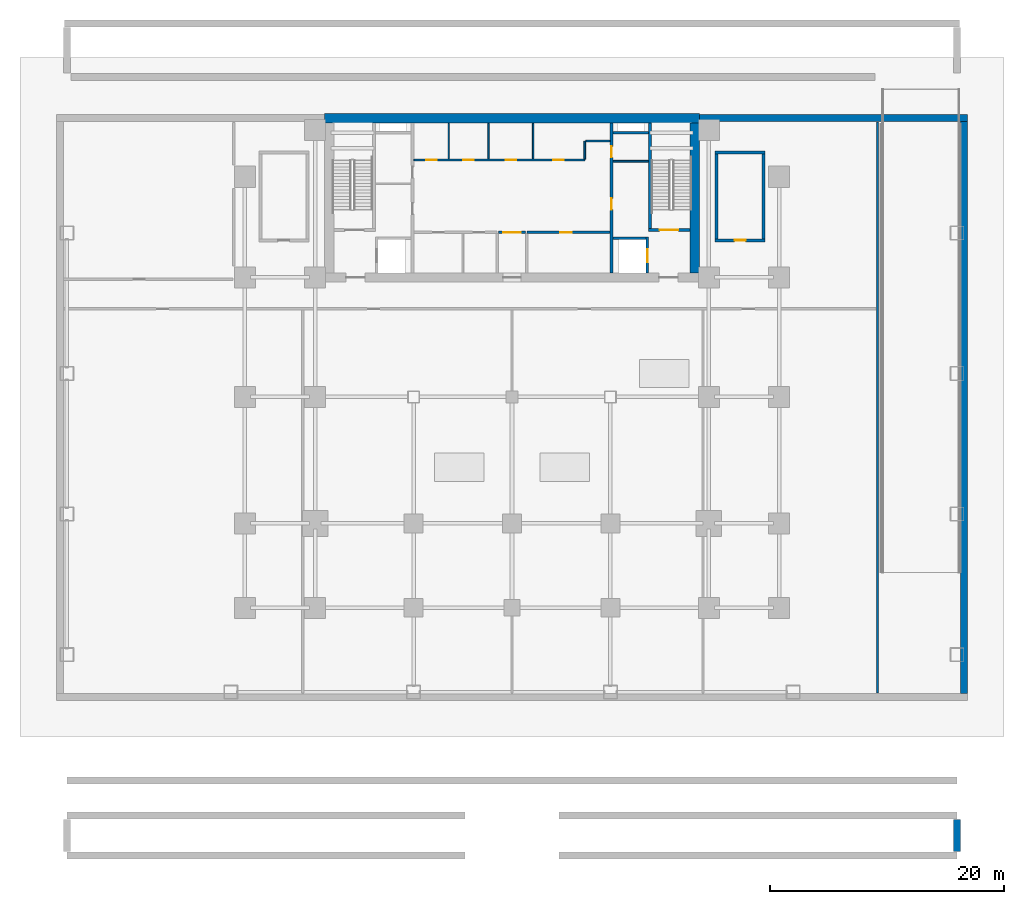
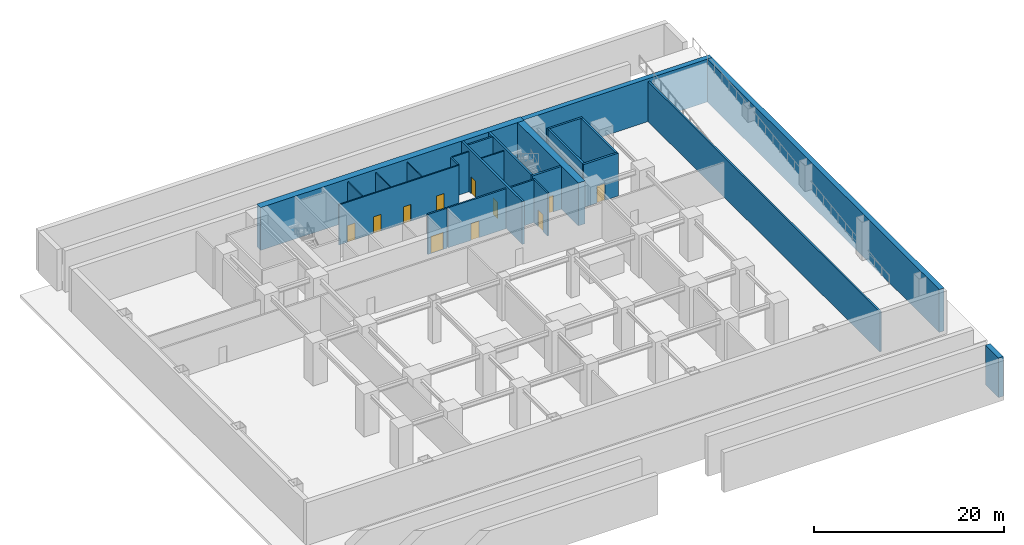
# One storey, part 4 of 8: 25 walls, 11 doors, 11 openings.
"""IFC4 building model written with IfcOpenShell, lengths in metres."""

from ifc_helpers import new_model, si_unit, direction, frame, frame_2d, origin, place, context, subcontext, project, spatial, rectangle, extrude, source, transform, mapped, material, layer, layer_set, type_object, element, fill, save


model = new_model("IFC4")

# Units and contexts
model_context = context("Model", 3, precision=1e-05, world=origin(), true_north=direction((0.0, 1.0)))
body_context = subcontext(model_context, "Body", "Model", "MODEL_VIEW")
ifc_project = project(units=[si_unit("LENGTHUNIT", "METRE"), si_unit("AREAUNIT", "SQUARE_METRE"), si_unit("VOLUMEUNIT", "CUBIC_METRE"), si_unit("PLANEANGLEUNIT", "RADIAN"), si_unit("MASSUNIT", "GRAM", prefix="KILO")], contexts=[model_context])

# Site, building, storey
site_placement = place(None, origin())
site = spatial("IfcSite", under=ifc_project, at=site_placement, CompositionType="ELEMENT")
building_placement = place(site_placement, origin())
building = spatial("IfcBuilding", under=site, at=building_placement, Name="Sumidabori Civic Tower", CompositionType="ELEMENT")
storey_placement = place(building_placement, frame((0.0, 0.0, -5.5)))
storey = spatial("IfcBuildingStorey", under=building, at=storey_placement, Name="B1", CompositionType="ELEMENT", Elevation=-5.5)

# Walls
ifc_material_1 = material(Name="Concrete C50/60", Category="concrete")
ifc_layer_1 = layer(ifc_material_1, 0.60009765625, Name="Concrete C50/60")
ifc_layer_set_1 = layer_set([ifc_layer_1], Name="Concrete C50/60")
wall_type_1 = type_object("IfcWallType", Name="WL-RET-600", PredefinedType="SHEAR", material=ifc_layer_set_1)
shared_shape_1 = source(origin(), body_context, "Body", "SweptSolid", [
    extrude(rectangle(XDim=22.89990234375, YDim=0.60009765625, at=frame_2d((11.449951171875, 0.0))), origin(), (0.0, 0.0, 1.0), 5.5),
])
wall_1_placement = place(storey_placement, frame((16.0, 23.800048828125, 0.0), z_axis=(0.0, 0.0, 1.0), x_axis=(1.0, 0.0, 0.0)))
element("IfcWall", 1, at=wall_1_placement, inside=storey, type_object=wall_type_1, Name="Basement Retaining Wall B1 NE", PredefinedType="SHEAR", context=body_context, shape_type="MappedRepresentation", body=[
    mapped(shared_shape_1, transform((0.0, 0.0, 0.0), x_axis=(1.0, 0.0, 0.0), y_axis=(0.0, 1.0, 0.0), z_axis=(0.0, 0.0, 1.0), scale=1.0)),
])
shared_shape_2 = source(origin(), body_context, "Body", "SweptSolid", [
    extrude(rectangle(XDim=48.800048828125, YDim=0.60009765625, at=frame_2d((24.39990234375, 0.0))), origin(), (0.0, 0.0, 1.0), 5.5),
])
wall_2_placement = place(storey_placement, frame((38.60009765625, -25.300048828125, 0.0), z_axis=(0.0, 0.0, 1.0), x_axis=(0.0, 1.0, 0.0)))
element("IfcWall", 2, at=wall_2_placement, inside=storey, type_object=wall_type_1, Name="Basement Retaining Wall B1 E", PredefinedType="SHEAR", context=body_context, shape_type="MappedRepresentation", body=[
    mapped(shared_shape_2, transform((0.0, 0.0, 0.0), x_axis=(1.0, 0.0, 0.0), y_axis=(0.0, 1.0, 0.0), z_axis=(0.0, 0.0, 1.0), scale=1.0)),
])
shared_shape_3 = source(origin(), body_context, "Body", "SweptSolid", [
    extrude(rectangle(XDim=2.75, YDim=0.60009765625, at=frame_2d((1.375, 0.0))), origin(), (0.0, 0.0, 1.0), 5.10009765625),
])
wall_3_placement = place(storey_placement, frame((38.0, -38.800048828125, 0.0), z_axis=(0.0, 0.0, 1.0), x_axis=(0.0, 1.0, 0.0)))
element("IfcWall", 3, at=wall_3_placement, inside=storey, type_object=wall_type_1, Name="Substructure Perimeter Bearing Wall B1 PLZ-CE", PredefinedType="SHEAR", context=body_context, shape_type="MappedRepresentation", body=[
    mapped(shared_shape_3, transform((0.0, 0.0, 0.0), x_axis=(1.0, 0.0, 0.0), y_axis=(0.0, 1.0, 0.0), z_axis=(0.0, 0.0, 1.0), scale=1.0)),
])
ifc_material_2 = material(Name="Concrete C60/75", Category="concrete")
ifc_layer_2 = layer(ifc_material_2, 0.800048828125, Name="Concrete C60/75")
ifc_layer_set_2 = layer_set([ifc_layer_2], Name="Concrete C60/75")
wall_type_2 = type_object("IfcWallType", Name="WL-CORE-800", PredefinedType="SHEAR", material=ifc_layer_set_2)
shared_shape_4 = source(origin(), body_context, "Body", "SweptSolid", [
    extrude(rectangle(XDim=32.0, YDim=0.800048828125, at=frame_2d((16.0, 0.0))), origin(), (0.0, 0.0, 1.0), 5.5),
])
wall_4_placement = place(storey_placement, frame((-16.0, 23.800048828125, 0.0), z_axis=(0.0, 0.0, 1.0), x_axis=(1.0, 0.0, 0.0)))
element("IfcWall", 4, at=wall_4_placement, inside=storey, type_object=wall_type_2, Name="Core Shear Wall B1 N", PredefinedType="SHEAR", context=body_context, shape_type="MappedRepresentation", body=[
    mapped(shared_shape_4, transform((0.0, 0.0, 0.0), x_axis=(1.0, 0.0, 0.0), y_axis=(0.0, 1.0, 0.0), z_axis=(0.0, 0.0, 1.0), scale=1.0)),
])
shared_shape_5 = source(origin(), body_context, "Body", "SweptSolid", [
    extrude(rectangle(XDim=12.7998046875, YDim=0.800048828125, at=frame_2d((6.39990234375, 0.0))), origin(), (0.0, 0.0, 1.0), 5.5),
])
wall_5_placement = place(storey_placement, frame((15.60009765625, 10.60009765625, 0.0), z_axis=(0.0, 0.0, 1.0), x_axis=(0.0, 1.0, 0.0)))
element("IfcWall", 5, at=wall_5_placement, inside=storey, type_object=wall_type_2, Name="Core Shear Wall B1 E", PredefinedType="SHEAR", context=body_context, shape_type="MappedRepresentation", body=[
    mapped(shared_shape_5, transform((0.0, 0.0, 0.0), x_axis=(1.0, 0.0, 0.0), y_axis=(0.0, 1.0, 0.0), z_axis=(0.0, 0.0, 1.0), scale=1.0)),
])

# Wall, openings, doors
ifc_layer_3 = layer(ifc_material_1, 0.25, Name="Concrete C50/60")
ifc_layer_set_3 = layer_set([ifc_layer_3], Name="Concrete C50/60")
wall_type_3 = type_object("IfcWallType", Name="WL-SHAFT-250", PredefinedType="SHEAR", material=ifc_layer_set_3)
shared_shape_6 = source(origin(), body_context, "Body", "SweptSolid", [
    extrude(rectangle(XDim=12.7998046875, YDim=0.25, at=frame_2d((6.39990234375, 0.0))), origin(), (0.0, 0.0, 1.0), 5.5),
])
wall_6_placement = place(storey_placement, frame((8.5, 10.60009765625, 0.0), z_axis=(0.0, 0.0, 1.0), x_axis=(0.0, 1.0, 0.0)))
wall_6 = element("IfcWall", 6, at=wall_6_placement, inside=storey, type_object=wall_type_3, Name="Core Shear Wall B1 WEB-E", PredefinedType="SHEAR", context=body_context, shape_type="MappedRepresentation", body=[
    mapped(shared_shape_6, transform((0.0, 0.0, 0.0), x_axis=(1.0, 0.0, 0.0), y_axis=(0.0, 1.0, 0.0), z_axis=(0.0, 0.0, 1.0), scale=1.0)),
])
opening_1_placement = place(wall_6_placement, frame((5.39990234375, 0.0, 0.0)))
opening_1 = element("IfcOpeningElement", 7, at=opening_1_placement, cuts=wall_6, Name="Opening DR-FD2", PredefinedType="OPENING", context=body_context, shape_type="SweptSolid", body=[
    extrude(rectangle(XDim=0.949951171875, YDim=2.14990234375, at=frame_2d((0.47509765625, 1.074951171875))), frame((0.0, 0.136962890625, 0.0), z_axis=(0.0, -1.0, 0.0), x_axis=(1.0, 0.0, 0.0)), (0.0, 0.0, 1.0), 0.27392578125),
])
opening_2_placement = place(wall_6_placement, frame((9.85009765625, 0.0, 0.0)))
opening_2 = element("IfcOpeningElement", 8, at=opening_2_placement, cuts=wall_6, Name="Opening DR-2", PredefinedType="OPENING", context=body_context, shape_type="SweptSolid", body=[
    extrude(rectangle(XDim=0.949951171875, YDim=2.14990234375, at=frame_2d((0.47509765625, 1.074951171875))), frame((0.0, 0.136962890625, 0.0), z_axis=(0.0, -1.0, 0.0), x_axis=(1.0, 0.0, 0.0)), (0.0, 0.0, 1.0), 0.27392578125),
])
ifc_material_3 = material(Name="Steel SN490", Category="steel")
door_type_1 = type_object("IfcDoorType", Name="DR-FD2", OperationType="NOTDEFINED", PredefinedType="DOOR", material=ifc_material_3)
shared_shape_7 = source(origin(), body_context, "Body", "SweptSolid", [
    extrude(rectangle(XDim=0.949951171875, YDim=2.14990234375, at=frame_2d((0.47509765625, 1.074951171875))), frame((0.0, 0.02490234375, 0.0), z_axis=(0.0, -1.0, 0.0), x_axis=(1.0, 0.0, 0.0)), (0.0, 0.0, 1.0), 0.050048828125),
])
door_1_placement = place(opening_1_placement, origin())
door_1 = element("IfcDoor", 9, at=door_1_placement, inside=storey, type_object=door_type_1, Name="Door DR:B1:CE-STR", OperationType="SINGLE_SWING_RIGHT", OverallHeight=2.14990234375, OverallWidth=0.949951171875, PredefinedType="DOOR", context=body_context, shape_type="MappedRepresentation", body=[
    mapped(shared_shape_7, transform((0.0, 0.0, 0.0), x_axis=(1.0, 0.0, 0.0), y_axis=(0.0, 1.0, 0.0), z_axis=(0.0, 0.0, 1.0), scale=1.0)),
])
fill(opening_1, door_1)
ifc_material_4 = material(Name="Japanese Hinoki Timber", Category="wood")
door_type_2 = type_object("IfcDoorType", Name="DR-INT-950", OperationType="NOTDEFINED", PredefinedType="DOOR", material=ifc_material_4)
shared_shape_8 = source(origin(), body_context, "Body", "SweptSolid", [
    extrude(rectangle(XDim=0.949951171875, YDim=2.14990234375, at=frame_2d((0.47509765625, 1.074951171875))), frame((0.0, 0.02490234375, 0.0), z_axis=(0.0, -1.0, 0.0), x_axis=(1.0, 0.0, 0.0)), (0.0, 0.0, 1.0), 0.050048828125),
])
door_2_placement = place(opening_2_placement, origin())
door_2 = element("IfcDoor", 10, at=door_2_placement, inside=storey, type_object=door_type_2, Name="Door DR:B1:WC-ACC", OperationType="SINGLE_SWING_RIGHT", OverallHeight=2.14990234375, OverallWidth=0.949951171875, PredefinedType="DOOR", context=body_context, shape_type="MappedRepresentation", body=[
    mapped(shared_shape_8, transform((0.0, 0.0, 0.0), x_axis=(1.0, 0.0, 0.0), y_axis=(0.0, 1.0, 0.0), z_axis=(0.0, 0.0, 1.0), scale=1.0)),
])
fill(opening_2, door_2)

# Wall, opening, door
shared_shape_9 = source(origin(), body_context, "Body", "SweptSolid", [
    extrude(rectangle(XDim=3.554931640625, YDim=0.25, at=frame_2d((1.77734375, 0.0))), origin(), (0.0, 0.0, 1.0), 5.5),
])
wall_7_placement = place(storey_placement, frame((11.64501953125, 14.25, 0.0), z_axis=(0.0, 0.0, 1.0), x_axis=(1.0, 0.0, 0.0)))
wall_7 = element("IfcWall", 11, at=wall_7_placement, inside=storey, type_object=wall_type_3, Name="Core Shear Wall B1 ST2-S", PredefinedType="SHEAR", context=body_context, shape_type="MappedRepresentation", body=[
    mapped(shared_shape_9, transform((0.0, 0.0, 0.0), x_axis=(1.0, 0.0, 0.0), y_axis=(0.0, 1.0, 0.0), z_axis=(0.0, 0.0, 1.0), scale=1.0)),
])
opening_3_placement = place(wall_7_placement, frame((0.949951171875, 0.0, 0.0)))
opening_3 = element("IfcOpeningElement", 12, at=opening_3_placement, cuts=wall_7, Name="Opening DR-FD4", PredefinedType="OPENING", context=body_context, shape_type="SweptSolid", body=[
    extrude(rectangle(XDim=1.60009765625, YDim=2.14990234375, at=frame_2d((0.800048828125, 1.074951171875))), frame((0.0, 0.136962890625, 0.0), z_axis=(0.0, -1.0, 0.0), x_axis=(1.0, 0.0, 0.0)), (0.0, 0.0, 1.0), 0.27392578125),
])
door_type_3 = type_object("IfcDoorType", Name="DR-FD4", OperationType="DOUBLE_DOOR_SINGLE_SWING", PredefinedType="DOOR", material=ifc_material_3)
shared_shape_10 = source(origin(), body_context, "Body", "SweptSolid", [
    extrude(rectangle(XDim=1.60009765625, YDim=2.14990234375, at=frame_2d((0.800048828125, 1.074951171875))), frame((0.0, 0.02490234375, 0.0), z_axis=(0.0, -1.0, 0.0), x_axis=(1.0, 0.0, 0.0)), (0.0, 0.0, 1.0), 0.050048828125),
])
door_3_placement = place(opening_3_placement, origin())
door_3 = element("IfcDoor", 13, at=door_3_placement, inside=storey, type_object=door_type_3, Name="Door DR:B1:ST2", OperationType="DOUBLE_DOOR_SINGLE_SWING", OverallHeight=2.14990234375, OverallWidth=1.60009765625, PredefinedType="DOOR", context=body_context, shape_type="MappedRepresentation", body=[
    mapped(shared_shape_10, transform((0.0, 0.0, 0.0), x_axis=(1.0, 0.0, 0.0), y_axis=(0.0, 1.0, 0.0), z_axis=(0.0, 0.0, 1.0), scale=1.0)),
])
fill(opening_3, door_3)

# Wall
shared_shape_11 = source(origin(), body_context, "Body", "SweptSolid", [
    extrude(rectangle(XDim=9.02490234375, YDim=0.25, at=frame_2d((4.512451171875, 0.0))), origin(), (0.0, 0.0, 1.0), 5.5),
])
wall_8_placement = place(storey_placement, frame((11.77001953125, 14.375, 0.0), z_axis=(0.0, 0.0, 1.0), x_axis=(0.0, 1.0, 0.0)))
element("IfcWall", 14, at=wall_8_placement, inside=storey, type_object=wall_type_3, Name="Core Shear Wall B1 ST2-W", PredefinedType="SHEAR", context=body_context, shape_type="MappedRepresentation", body=[
    mapped(shared_shape_11, transform((0.0, 0.0, 0.0), x_axis=(1.0, 0.0, 0.0), y_axis=(0.0, 1.0, 0.0), z_axis=(0.0, 0.0, 1.0), scale=1.0)),
])

# Wall, opening, door
ifc_layer_4 = layer(ifc_material_1, 0.199951171875, Name="Concrete C50/60")
ifc_layer_set_4 = layer_set([ifc_layer_4], Name="Concrete C50/60")
wall_type_4 = type_object("IfcWallType", Name="WL-SHAFT-200", PredefinedType="SHEAR", material=ifc_layer_set_4)
shared_shape_12 = source(origin(), body_context, "Body", "SweptSolid", [
    extrude(rectangle(XDim=3.0498046875, YDim=0.199951171875, at=frame_2d((1.52490234375, 0.0))), origin(), (0.0, 0.0, 1.0), 5.5),
])
wall_9_placement = place(storey_placement, frame((11.550048828125, 10.60009765625, 0.0), z_axis=(0.0, 0.0, 1.0), x_axis=(0.0, 1.0, 0.0)))
wall_9 = element("IfcWall", 15, at=wall_9_placement, inside=storey, type_object=wall_type_4, Name="Core Shear Wall B1 EL2-E", PredefinedType="SHEAR", context=body_context, shape_type="MappedRepresentation", body=[
    mapped(shared_shape_12, transform((0.0, 0.0, 0.0), x_axis=(1.0, 0.0, 0.0), y_axis=(0.0, 1.0, 0.0), z_axis=(0.0, 0.0, 1.0), scale=1.0)),
])
opening_4_placement = place(wall_9_placement, frame((0.89990234375, 0.0, 0.0)))
opening_4 = element("IfcOpeningElement", 16, at=opening_4_placement, cuts=wall_9, Name="Opening LD-2", PredefinedType="OPENING", context=body_context, shape_type="SweptSolid", body=[
    extrude(rectangle(XDim=1.10009765625, YDim=2.14990234375, at=frame_2d((0.550048828125, 1.074951171875))), frame((0.0, 0.11181640625, 0.0), z_axis=(0.0, -1.0, 0.0), x_axis=(1.0, 0.0, 0.0)), (0.0, 0.0, 1.0), 0.223876953125),
])
ifc_material_5 = material(Name="Stainless Steel Hairline Finish", Category="steel")
door_type_4 = type_object("IfcDoorType", Name="DR-LD2", OperationType="DOUBLE_DOOR_SLIDING", PredefinedType="DOOR", material=ifc_material_5)
shared_shape_13 = source(origin(), body_context, "Body", "SweptSolid", [
    extrude(rectangle(XDim=1.10009765625, YDim=2.14990234375, at=frame_2d((0.550048828125, 1.074951171875))), frame((0.0, 0.02490234375, 0.0), z_axis=(0.0, -1.0, 0.0), x_axis=(1.0, 0.0, 0.0)), (0.0, 0.0, 1.0), 0.050048828125),
])
door_4_placement = place(opening_4_placement, origin())
door_4 = element("IfcDoor", 17, at=door_4_placement, inside=storey, type_object=door_type_4, Name="Door DR:B1:LD-EL2", OperationType="DOUBLE_DOOR_SLIDING", OverallHeight=2.14990234375, OverallWidth=1.10009765625, PredefinedType="DOOR", context=body_context, shape_type="MappedRepresentation", body=[
    mapped(shared_shape_13, transform((0.0, 0.0, 0.0), x_axis=(1.0, 0.0, 0.0), y_axis=(0.0, 1.0, 0.0), z_axis=(0.0, 0.0, 1.0), scale=1.0)),
])
fill(opening_4, door_4)

# Walls
shared_shape_14 = source(origin(), body_context, "Body", "SweptSolid", [
    extrude(rectangle(XDim=2.824951171875, YDim=0.199951171875, at=frame_2d((1.41259765625, 0.0))), origin(), (0.0, 0.0, 1.0), 5.5),
])
wall_10_placement = place(storey_placement, frame((8.625, 13.550048828125, 0.0), z_axis=(0.0, 0.0, 1.0), x_axis=(1.0, 0.0, 0.0)))
element("IfcWall", 18, at=wall_10_placement, inside=storey, type_object=wall_type_4, Name="Core Shear Wall B1 EL2-N", PredefinedType="SHEAR", context=body_context, shape_type="MappedRepresentation", body=[
    mapped(shared_shape_14, transform((0.0, 0.0, 0.0), x_axis=(1.0, 0.0, 0.0), y_axis=(0.0, 1.0, 0.0), z_axis=(0.0, 0.0, 1.0), scale=1.0)),
])
shared_shape_15 = source(origin(), body_context, "Body", "SweptSolid", [
    extrude(rectangle(XDim=3.02001953125, YDim=0.199951171875, at=frame_2d((1.510009765625, 0.0))), origin(), (0.0, 0.0, 1.0), 5.5),
])
wall_11_placement = place(storey_placement, frame((8.625, 22.550048828125, 0.0), z_axis=(0.0, 0.0, 1.0), x_axis=(1.0, 0.0, 0.0)))
element("IfcWall", 19, at=wall_11_placement, inside=storey, type_object=wall_type_4, Name="Core Shear Wall B1 RIS2-S", PredefinedType="SHEAR", context=body_context, shape_type="MappedRepresentation", body=[
    mapped(shared_shape_15, transform((0.0, 0.0, 0.0), x_axis=(1.0, 0.0, 0.0), y_axis=(0.0, 1.0, 0.0), z_axis=(0.0, 0.0, 1.0), scale=1.0)),
])
shared_shape_16 = source(origin(), body_context, "Body", "SweptSolid", [
    extrude(rectangle(XDim=4.260009765625, YDim=0.25, at=frame_2d((2.1298828125, 0.0))), origin(), (0.0, 0.0, 1.0), 5.5),
])
wall_12_placement = place(storey_placement, frame((17.35009765625, 20.864990234375, 0.0), z_axis=(0.0, 0.0, 1.0), x_axis=(1.0, 0.0, 0.0)))
element("IfcWall", 20, at=wall_12_placement, inside=storey, type_object=wall_type_3, Name="Core Shear Wall B1 ST4-N", PredefinedType="SHEAR", context=body_context, shape_type="MappedRepresentation", body=[
    mapped(shared_shape_16, transform((0.0, 0.0, 0.0), x_axis=(1.0, 0.0, 0.0), y_axis=(0.0, 1.0, 0.0), z_axis=(0.0, 0.0, 1.0), scale=1.0)),
])

# Wall, opening, door
wall_13_placement = place(storey_placement, frame((17.35009765625, 13.375, 0.0), z_axis=(0.0, 0.0, 1.0), x_axis=(1.0, 0.0, 0.0)))
wall_13 = element("IfcWall", 21, at=wall_13_placement, inside=storey, type_object=wall_type_3, Name="Core Shear Wall B1 ST4-S", PredefinedType="SHEAR", context=body_context, shape_type="MappedRepresentation", body=[
    mapped(shared_shape_16, transform((0.0, 0.0, 0.0), x_axis=(1.0, 0.0, 0.0), y_axis=(0.0, 1.0, 0.0), z_axis=(0.0, 0.0, 1.0), scale=1.0)),
])
opening_5_placement = place(wall_13_placement, frame((1.64990234375, 0.0, 0.0)))
opening_5 = element("IfcOpeningElement", 22, at=opening_5_placement, cuts=wall_13, Name="Opening DR-FD2", PredefinedType="OPENING", context=body_context, shape_type="SweptSolid", body=[
    extrude(rectangle(XDim=0.949951171875, YDim=2.14990234375, at=frame_2d((0.47509765625, 1.074951171875))), frame((0.0, 0.136962890625, 0.0), z_axis=(0.0, -1.0, 0.0), x_axis=(1.0, 0.0, 0.0)), (0.0, 0.0, 1.0), 0.27392578125),
])
door_5_placement = place(opening_5_placement, origin())
door_5 = element("IfcDoor", 23, at=door_5_placement, inside=storey, type_object=door_type_1, Name="Door DR:B1:FAN-ST4", OperationType="SINGLE_SWING_RIGHT", OverallHeight=2.14990234375, OverallWidth=0.949951171875, PredefinedType="DOOR", context=body_context, shape_type="MappedRepresentation", body=[
    mapped(shared_shape_7, transform((0.0, 0.0, 0.0), x_axis=(1.0, 0.0, 0.0), y_axis=(0.0, 1.0, 0.0), z_axis=(0.0, 0.0, 1.0), scale=1.0)),
])
fill(opening_5, door_5)

# Walls
shared_shape_17 = source(origin(), body_context, "Body", "SweptSolid", [
    extrude(rectangle(XDim=7.230224609375, YDim=0.25, at=frame_2d((3.615234375, 0.0))), origin(), (0.0, 0.0, 1.0), 5.5),
])
for number, where, z_axis, x_axis, name in (
    (24, (17.47509765625, 13.5048828125, 0.0), (0.0, 0.0, 1.0), (0.0, 1.0, 0.0), "Core Shear Wall B1 ST4-W"),
    (25, (21.485107421875, 13.5048828125, 0.0), (0.0, 0.0, 1.0), (0.0, 1.0, 0.0), "Core Shear Wall B1 ST4-E"),
):
    element("IfcWall", number, at=place(storey_placement, frame(where, z_axis=z_axis, x_axis=x_axis)), inside=storey, type_object=wall_type_3, Name=name, PredefinedType="SHEAR", context=body_context, shape_type="MappedRepresentation", body=[
        mapped(shared_shape_17, transform((0.0, 0.0, 0.0), x_axis=(1.0, 0.0, 0.0), y_axis=(0.0, 1.0, 0.0), z_axis=(0.0, 0.0, 1.0), scale=1.0)),
    ])
ifc_material_6 = material(Name="Gypsum Plasterboard Acoustic Partition")
ifc_layer_5 = layer(ifc_material_6, 0.14990234375, Name="Gypsum Plasterboard Acoustic Partition")
ifc_layer_set_5 = layer_set([ifc_layer_5], Name="Gypsum Plasterboard Acoustic Partition")
wall_type_5 = type_object("IfcWallType", Name="WL-PART-150", PredefinedType="PARTITIONING", material=ifc_layer_set_5)
shared_shape_18 = source(origin(), body_context, "Body", "SweptSolid", [
    extrude(rectangle(XDim=3.010009765625, YDim=0.14990234375, at=frame_2d((1.5048828125, 0.0))), origin(), (0.0, 0.0, 1.0), 5.139892578125),
])
wall_14_placement = place(storey_placement, frame((8.6298828125, 20.1201171875, 0.0), z_axis=(0.0, 0.0, 1.0), x_axis=(1.0, 0.0, 0.0)))
element("IfcWall", 26, at=wall_14_placement, inside=storey, type_object=wall_type_5, Name="Interior Partition WL:B1:DIV-CE-WC", PredefinedType="PARTITIONING", context=body_context, shape_type="MappedRepresentation", body=[
    mapped(shared_shape_18, transform((0.0, 0.0, 0.0), x_axis=(1.0, 0.0, 0.0), y_axis=(0.0, 1.0, 0.0), z_axis=(0.0, 0.0, 1.0), scale=1.0)),
])

# Wall, opening, door
ifc_material_7 = material(Name="Gypsum Plasterboard Fire Partition")
ifc_layer_6 = layer(ifc_material_7, 0.199951171875, Name="Gypsum Plasterboard Fire Partition")
ifc_layer_set_6 = layer_set([ifc_layer_6], Name="Gypsum Plasterboard Fire Partition")
wall_type_6 = type_object("IfcWallType", Name="WL-PART-FIRE", PredefinedType="PARTITIONING", material=ifc_layer_set_6)
shared_shape_19 = source(origin(), body_context, "Body", "SweptSolid", [
    extrude(rectangle(XDim=7.070068359375, YDim=0.199951171875, at=frame_2d((3.53515625, 0.0))), origin(), (0.0, 0.0, 1.0), 5.139892578125),
])
wall_15_placement = place(storey_placement, frame((1.300048828125, 14.050048828125, 0.0), z_axis=(0.0, 0.0, 1.0), x_axis=(1.0, 0.0, 0.0)))
wall_15 = element("IfcWall", 27, at=wall_15_placement, inside=storey, type_object=wall_type_6, Name="Interior Partition WL:B1:CBAND-SE", PredefinedType="PARTITIONING", context=body_context, shape_type="MappedRepresentation", body=[
    mapped(shared_shape_19, transform((0.0, 0.0, 0.0), x_axis=(1.0, 0.0, 0.0), y_axis=(0.0, 1.0, 0.0), z_axis=(0.0, 0.0, 1.0), scale=1.0)),
])
opening_6_placement = place(wall_15_placement, frame((2.800048828125, 0.0, 0.0)))
opening_6 = element("IfcOpeningElement", 28, at=opening_6_placement, cuts=wall_15, Name="Opening DR-3", PredefinedType="OPENING", context=body_context, shape_type="SweptSolid", body=[
    extrude(rectangle(XDim=0.97998046875, YDim=2.14990234375, at=frame_2d((0.489990234375, 1.074951171875))), frame((0.0, 0.11181640625, 0.0), z_axis=(0.0, -1.0, 0.0), x_axis=(1.0, 0.0, 0.0)), (0.0, 0.0, 1.0), 0.223876953125),
])
door_type_5 = type_object("IfcDoorType", Name="DR-INT-980", OperationType="NOTDEFINED", PredefinedType="DOOR", material=ifc_material_4)
shared_shape_20 = source(origin(), body_context, "Body", "SweptSolid", [
    extrude(rectangle(XDim=0.97998046875, YDim=2.14990234375, at=frame_2d((0.489990234375, 1.074951171875))), frame((0.0, 0.02490234375, 0.0), z_axis=(0.0, -1.0, 0.0), x_axis=(1.0, 0.0, 0.0)), (0.0, 0.0, 1.0), 0.050048828125),
])
door_6_placement = place(opening_6_placement, origin())
door_6 = element("IfcDoor", 29, at=door_6_placement, inside=storey, type_object=door_type_5, Name="Door DR:B1:REC-B2", OperationType="SINGLE_SWING_RIGHT", OverallHeight=2.14990234375, OverallWidth=0.97998046875, PredefinedType="DOOR", context=body_context, shape_type="MappedRepresentation", body=[
    mapped(shared_shape_20, transform((0.0, 0.0, 0.0), x_axis=(1.0, 0.0, 0.0), y_axis=(0.0, 1.0, 0.0), z_axis=(0.0, 0.0, 1.0), scale=1.0)),
])
fill(opening_6, door_6)

shared_shape_21 = source(origin(), body_context, "Body", "SweptSolid", [
    extrude(rectangle(XDim=2.2998046875, YDim=0.199951171875, at=frame_2d((1.14990234375, 0.0))), origin(), (0.0, 0.0, 1.0), 5.139892578125),
])
wall_16_placement = place(storey_placement, frame((-1.14990234375, 14.050048828125, 0.0), z_axis=(0.0, 0.0, 1.0), x_axis=(1.0, 0.0, 0.0)))
wall_16 = element("IfcWall", 30, at=wall_16_placement, inside=storey, type_object=wall_type_6, Name="Interior Partition WL:B1:THROAT-N", PredefinedType="PARTITIONING", context=body_context, shape_type="MappedRepresentation", body=[
    mapped(shared_shape_21, transform((0.0, 0.0, 0.0), x_axis=(1.0, 0.0, 0.0), y_axis=(0.0, 1.0, 0.0), z_axis=(0.0, 0.0, 1.0), scale=1.0)),
])
opening_7_placement = place(wall_16_placement, frame((0.39990234375, 0.0, 0.0)))
opening_7 = element("IfcOpeningElement", 31, at=opening_7_placement, cuts=wall_16, Name="Opening DR-FD3", PredefinedType="OPENING", context=body_context, shape_type="SweptSolid", body=[
    extrude(rectangle(XDim=1.5, YDim=2.199951171875, at=frame_2d((0.75, 1.10009765625))), frame((0.0, 0.11181640625, 0.0), z_axis=(0.0, -1.0, 0.0), x_axis=(1.0, 0.0, 0.0)), (0.0, 0.0, 1.0), 0.223876953125),
])
door_type_6 = type_object("IfcDoorType", Name="DR-FD-DBL", OperationType="DOUBLE_DOOR_SINGLE_SWING", PredefinedType="DOOR", material=ifc_material_3)
shared_shape_22 = source(origin(), body_context, "Body", "SweptSolid", [
    extrude(rectangle(XDim=1.5, YDim=2.199951171875, at=frame_2d((0.75, 1.10009765625))), frame((0.0, 0.02490234375, 0.0), z_axis=(0.0, -1.0, 0.0), x_axis=(1.0, 0.0, 0.0)), (0.0, 0.0, 1.0), 0.050048828125),
])
door_7_placement = place(opening_7_placement, origin())
door_7 = element("IfcDoor", 32, at=door_7_placement, inside=storey, type_object=door_type_6, Name="Door DR:B1:THROAT-IN", OperationType="DOUBLE_DOOR_SINGLE_SWING", OverallHeight=2.199951171875, OverallWidth=1.5, PredefinedType="DOOR", context=body_context, shape_type="MappedRepresentation", body=[
    mapped(shared_shape_22, transform((0.0, 0.0, 0.0), x_axis=(1.0, 0.0, 0.0), y_axis=(0.0, 1.0, 0.0), z_axis=(0.0, 0.0, 1.0), scale=1.0)),
])
fill(opening_7, door_7)

# Wall, openings, doors
shared_shape_23 = source(origin(), body_context, "Body", "SweptSolid", [
    extrude(rectangle(XDim=14.590087890625, YDim=0.14990234375, at=frame_2d((7.294921875, 0.0))), origin(), (0.0, 0.0, 1.0), 5.139892578125),
])
wall_17_placement = place(storey_placement, frame((-8.3701171875, 20.219970703125, 0.0), z_axis=(0.0, 0.0, 1.0), x_axis=(1.0, 0.0, 0.0)))
wall_17 = element("IfcWall", 33, at=wall_17_placement, inside=storey, type_object=wall_type_5, Name="Interior Partition WL:B1:CBAND-M", PredefinedType="PARTITIONING", context=body_context, shape_type="MappedRepresentation", body=[
    mapped(shared_shape_23, transform((0.0, 0.0, 0.0), x_axis=(1.0, 0.0, 0.0), y_axis=(0.0, 1.0, 0.0), z_axis=(0.0, 0.0, 1.0), scale=1.0)),
])
opening_8_placement = place(wall_17_placement, frame((1.06005859375, 0.0, 0.0)))
opening_8 = element("IfcOpeningElement", 34, at=opening_8_placement, cuts=wall_17, Name="Opening DR-1", PredefinedType="OPENING", context=body_context, shape_type="SweptSolid", body=[
    extrude(rectangle(XDim=0.89990234375, YDim=2.14990234375, at=frame_2d((0.449951171875, 1.074951171875))), frame((0.0, 0.0869140625, 0.0), z_axis=(0.0, -1.0, 0.0), x_axis=(1.0, 0.0, 0.0)), (0.0, 0.0, 1.0), 0.173828125),
])
opening_9_placement = place(wall_17_placement, frame((4.219970703125, 0.0, 0.0)))
opening_9 = element("IfcOpeningElement", 35, at=opening_9_placement, cuts=wall_17, Name="Opening DR-1", PredefinedType="OPENING", context=body_context, shape_type="SweptSolid", body=[
    extrude(rectangle(XDim=0.89990234375, YDim=2.14990234375, at=frame_2d((0.449951171875, 1.074951171875))), frame((0.0, 0.0869140625, 0.0), z_axis=(0.0, -1.0, 0.0), x_axis=(1.0, 0.0, 0.0)), (0.0, 0.0, 1.0), 0.173828125),
])
opening_10_placement = place(wall_17_placement, frame((7.820068359375, 0.0, 0.0)))
opening_10 = element("IfcOpeningElement", 36, at=opening_10_placement, cuts=wall_17, Name="Opening DR-1", PredefinedType="OPENING", context=body_context, shape_type="SweptSolid", body=[
    extrude(rectangle(XDim=0.89990234375, YDim=2.14990234375, at=frame_2d((0.449951171875, 1.074951171875))), frame((0.0, 0.0869140625, 0.0), z_axis=(0.0, -1.0, 0.0), x_axis=(1.0, 0.0, 0.0)), (0.0, 0.0, 1.0), 0.173828125),
])
opening_11_placement = place(wall_17_placement, frame((11.8701171875, 0.0, 0.0)))
opening_11 = element("IfcOpeningElement", 37, at=opening_11_placement, cuts=wall_17, Name="Opening DR-1", PredefinedType="OPENING", context=body_context, shape_type="SweptSolid", body=[
    extrude(rectangle(XDim=0.89990234375, YDim=2.14990234375, at=frame_2d((0.449951171875, 1.074951171875))), frame((0.0, 0.0869140625, 0.0), z_axis=(0.0, -1.0, 0.0), x_axis=(1.0, 0.0, 0.0)), (0.0, 0.0, 1.0), 0.173828125),
])
door_type_7 = type_object("IfcDoorType", Name="DR-INT-900", OperationType="NOTDEFINED", PredefinedType="DOOR", material=ifc_material_4)
shared_shape_24 = source(origin(), body_context, "Body", "SweptSolid", [
    extrude(rectangle(XDim=0.89990234375, YDim=2.14990234375, at=frame_2d((0.449951171875, 1.074951171875))), frame((0.0, 0.02490234375, 0.0), z_axis=(0.0, -1.0, 0.0), x_axis=(1.0, 0.0, 0.0)), (0.0, 0.0, 1.0), 0.050048828125),
])
door_8_placement = place(opening_8_placement, origin())
door_8 = element("IfcDoor", 38, at=door_8_placement, inside=storey, type_object=door_type_7, Name="Door DR:B1:CB-1", OperationType="SINGLE_SWING_LEFT", OverallHeight=2.14990234375, OverallWidth=0.89990234375, PredefinedType="DOOR", context=body_context, shape_type="MappedRepresentation", body=[
    mapped(shared_shape_24, transform((0.0, 0.0, 0.0), x_axis=(1.0, 0.0, 0.0), y_axis=(0.0, 1.0, 0.0), z_axis=(0.0, 0.0, 1.0), scale=1.0)),
])
fill(opening_8, door_8)
door_9_placement = place(opening_9_placement, origin())
door_9 = element("IfcDoor", 39, at=door_9_placement, inside=storey, type_object=door_type_7, Name="Door DR:B1:CB-2", OperationType="SINGLE_SWING_RIGHT", OverallHeight=2.14990234375, OverallWidth=0.89990234375, PredefinedType="DOOR", context=body_context, shape_type="MappedRepresentation", body=[
    mapped(shared_shape_24, transform((0.0, 0.0, 0.0), x_axis=(1.0, 0.0, 0.0), y_axis=(0.0, 1.0, 0.0), z_axis=(0.0, 0.0, 1.0), scale=1.0)),
])
fill(opening_9, door_9)
door_10_placement = place(opening_10_placement, origin())
door_10 = element("IfcDoor", 40, at=door_10_placement, inside=storey, type_object=door_type_7, Name="Door DR:B1:CB-3", OperationType="SINGLE_SWING_LEFT", OverallHeight=2.14990234375, OverallWidth=0.89990234375, PredefinedType="DOOR", context=body_context, shape_type="MappedRepresentation", body=[
    mapped(shared_shape_24, transform((0.0, 0.0, 0.0), x_axis=(1.0, 0.0, 0.0), y_axis=(0.0, 1.0, 0.0), z_axis=(0.0, 0.0, 1.0), scale=1.0)),
])
fill(opening_10, door_10)
door_11_placement = place(opening_11_placement, origin())
door_11 = element("IfcDoor", 41, at=door_11_placement, inside=storey, type_object=door_type_7, Name="Door DR:B1:CB-4", OperationType="SINGLE_SWING_RIGHT", OverallHeight=2.14990234375, OverallWidth=0.89990234375, PredefinedType="DOOR", context=body_context, shape_type="MappedRepresentation", body=[
    mapped(shared_shape_24, transform((0.0, 0.0, 0.0), x_axis=(1.0, 0.0, 0.0), y_axis=(0.0, 1.0, 0.0), z_axis=(0.0, 0.0, 1.0), scale=1.0)),
])
fill(opening_11, door_11)

# Walls
shared_shape_25 = source(origin(), body_context, "Body", "SweptSolid", [
    extrude(rectangle(XDim=1.550048828125, YDim=0.14990234375, at=frame_2d((0.77490234375, 0.0))), origin(), (0.0, 0.0, 1.0), 5.139892578125),
])
wall_18_placement = place(storey_placement, frame((6.219970703125, 20.300048828125, 0.0), z_axis=(0.0, 0.0, 1.0), x_axis=(0.0, 1.0, 0.0)))
element("IfcWall", 42, at=wall_18_placement, inside=storey, type_object=wall_type_5, Name="Interior Partition WL:B1:CBAND-ME1", PredefinedType="PARTITIONING", context=body_context, shape_type="MappedRepresentation", body=[
    mapped(shared_shape_25, transform((0.0, 0.0, 0.0), x_axis=(1.0, 0.0, 0.0), y_axis=(0.0, 1.0, 0.0), z_axis=(0.0, 0.0, 1.0), scale=1.0)),
])
shared_shape_26 = source(origin(), body_context, "Body", "SweptSolid", [
    extrude(rectangle(XDim=2.070068359375, YDim=0.14990234375, at=frame_2d((1.03515625, 0.0))), origin(), (0.0, 0.0, 1.0), 5.139892578125),
])
wall_19_placement = place(storey_placement, frame((6.300048828125, 21.85009765625, 0.0), z_axis=(0.0, 0.0, 1.0), x_axis=(1.0, 0.0, 0.0)))
element("IfcWall", 43, at=wall_19_placement, inside=storey, type_object=wall_type_5, Name="Interior Partition WL:B1:CBAND-ME2", PredefinedType="PARTITIONING", context=body_context, shape_type="MappedRepresentation", body=[
    mapped(shared_shape_26, transform((0.0, 0.0, 0.0), x_axis=(1.0, 0.0, 0.0), y_axis=(0.0, 1.0, 0.0), z_axis=(0.0, 0.0, 1.0), scale=1.0)),
])
ifc_layer_7 = layer(ifc_material_6, 0.1201171875, Name="Gypsum Plasterboard Acoustic Partition")
ifc_layer_set_7 = layer_set([ifc_layer_7], Name="Gypsum Plasterboard Acoustic Partition")
wall_type_7 = type_object("IfcWallType", Name="WL-PART-120", PredefinedType="PARTITIONING", material=ifc_layer_set_7)
shared_shape_27 = source(origin(), body_context, "Body", "SweptSolid", [
    extrude(rectangle(XDim=3.0400390625, YDim=0.1201171875, at=frame_2d((1.52001953125, 0.0))), origin(), (0.0, 0.0, 1.0), 5.139892578125),
])
for number, where, z_axis, x_axis, name in (
    (44, (-5.39990234375, 20.320068359375, 0.0), (0.0, 0.0, 1.0), (0.0, 1.0, 0.0), "Interior Partition WL:B1:LV8-S1"),
    (45, (-2.0, 20.320068359375, 0.0), (0.0, 0.0, 1.0), (0.0, 1.0, 0.0), "Interior Partition WL:B1:LV8-S2"),
    (46, (1.800048828125, 20.320068359375, 0.0), (0.0, 0.0, 1.0), (0.0, 1.0, 0.0), "Interior Partition WL:B1:LV8-S3"),
):
    element("IfcWall", number, at=place(storey_placement, frame(where, z_axis=z_axis, x_axis=x_axis)), inside=storey, type_object=wall_type_7, Name=name, PredefinedType="PARTITIONING", context=body_context, shape_type="MappedRepresentation", body=[
        mapped(shared_shape_27, transform((0.0, 0.0, 0.0), x_axis=(1.0, 0.0, 0.0), y_axis=(0.0, 1.0, 0.0), z_axis=(0.0, 0.0, 1.0), scale=1.0)),
    ])
shared_shape_28 = source(origin(), body_context, "Body", "SweptSolid", [
    extrude(rectangle(XDim=48.780029296875, YDim=0.199951171875, at=frame_2d((24.39013671875, 0.0))), origin(), (0.0, 0.0, 1.0), 5.139892578125),
])
wall_20_placement = place(storey_placement, frame((31.199951171875, -25.2900390625, 0.0), z_axis=(0.0, 0.0, 1.0), x_axis=(0.0, 1.0, 0.0)))
element("IfcWall", 47, at=wall_20_placement, inside=storey, type_object=wall_type_6, Name="Interior Partition WL:B1:RAMP-W", PredefinedType="PARTITIONING", context=body_context, shape_type="MappedRepresentation", body=[
    mapped(shared_shape_28, transform((0.0, 0.0, 0.0), x_axis=(1.0, 0.0, 0.0), y_axis=(0.0, 1.0, 0.0), z_axis=(0.0, 0.0, 1.0), scale=1.0)),
])

save(model, "model.ifc")
